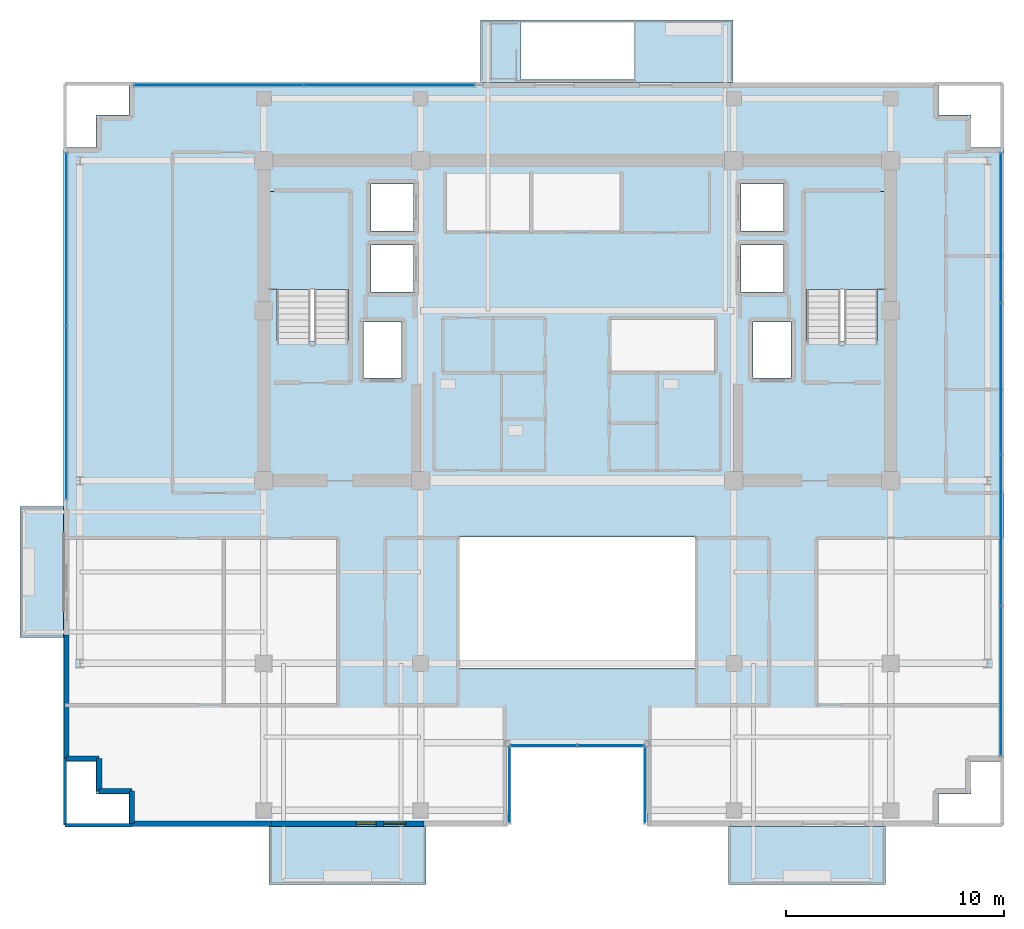
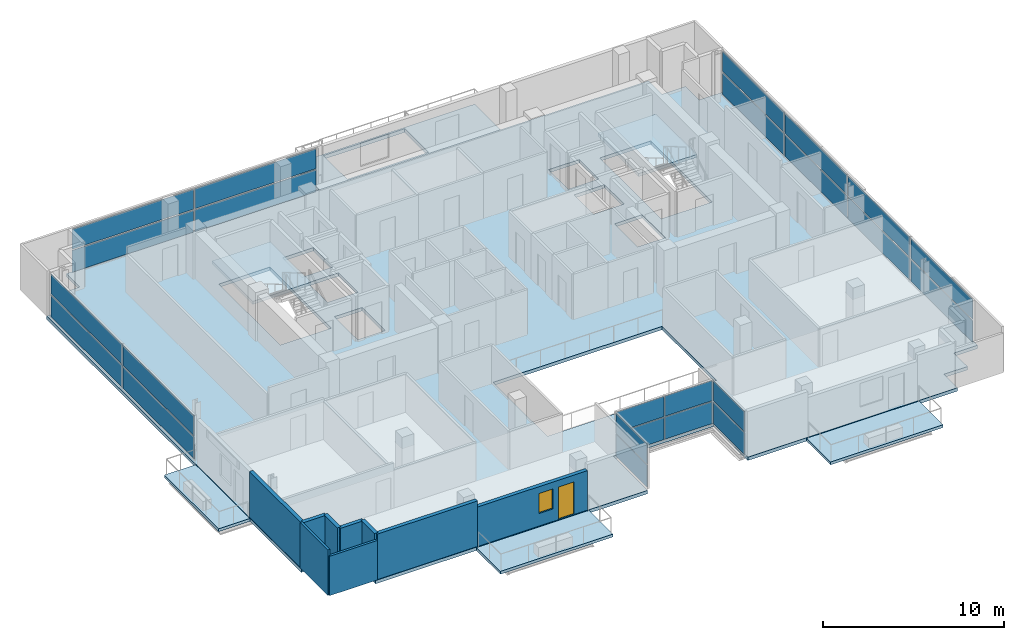
# One storey, part 15 of 24: 24 plates, 9 walls, 7 slabs, 1 door, 1 window, 2 openings, 8 elements without a shape of their own.
"""IFC4 building model written with IfcOpenShell, lengths in metres."""

from ifc_helpers import new_model, si_unit, direction, frame, frame_2d, origin, origin_2d, place, context, subcontext, project, spatial, polyline, rectangle, outline, extrude, source, transform, mapped, material, layer, layer_set, type_object, element, fill, aggregate, save


model = new_model("IFC4")

# Units and contexts
model_context = context("Model", 3, precision=1e-05, world=origin(), true_north=direction((0.0, 1.0)))
body_context = subcontext(model_context, "Body", "Model", "MODEL_VIEW")
ifc_project = project(units=[si_unit("LENGTHUNIT", "METRE"), si_unit("AREAUNIT", "SQUARE_METRE"), si_unit("VOLUMEUNIT", "CUBIC_METRE"), si_unit("PLANEANGLEUNIT", "RADIAN"), si_unit("MASSUNIT", "GRAM", prefix="KILO")], contexts=[model_context])

# Site, building, storey
site_placement = place(None, origin())
site = spatial("IfcSite", under=ifc_project, at=site_placement, CompositionType="ELEMENT")
building_placement = place(site_placement, origin())
building = spatial("IfcBuilding", under=site, at=building_placement, Name="Zarnakvel Exchange Tower", CompositionType="ELEMENT")
storey_placement = place(building_placement, frame((0.0, 0.0, 208.89990234375)))
storey = spatial("IfcBuildingStorey", under=building, at=storey_placement, Name="L58", CompositionType="ELEMENT", Elevation=208.89990234375)

# Stair, slab
ifc_material_1 = material(Name="Concrete C40/50", Category="concrete")
stair_type = type_object("IfcStairType", Name="STR-01", PredefinedType="HALF_TURN_STAIR", material=ifc_material_1)
stair_1_placement = place(storey_placement, origin())
stair_1 = element("IfcStair", 1, at=stair_1_placement, inside=storey, type_object=stair_type, Name="L58 Protected Core Exit Stair ST-01", PredefinedType="HALF_TURN_STAIR")
ifc_layer_1 = layer(ifc_material_1, 0.199951171875)
ifc_layer_set_1 = layer_set([ifc_layer_1], Name="Concrete C40/50")
slab_type_1 = type_object("IfcSlabType", Name="LDG-01", PredefinedType="LANDING", material=ifc_layer_set_1)
slab_1_placement = place(storey_placement, frame((0.0, 0.0, 1.4501953125)))
slab_1 = element("IfcSlab", 2, at=slab_1_placement, type_object=slab_type_1, Name="ST-01 landing 1", PredefinedType="LANDING", context=body_context, shape_type="SweptSolid", body=[
    extrude(outline(polyline([(-14.18994140625, 7.570068359375), (-10.4599609375, 7.570068359375), (-10.4599609375, 12.080078125), (-14.18994140625, 12.080078125), (-14.18994140625, 7.570068359375)])), origin(), (0.0, 0.0, 1.0), 0.199951171875),
])
aggregate(stair_1, [slab_1])

stair_2_placement = place(storey_placement, origin())
stair_2 = element("IfcStair", 3, at=stair_2_placement, inside=storey, type_object=stair_type, Name="L58 Protected Core Exit Stair ST-02", PredefinedType="HALF_TURN_STAIR")
slab_2_placement = place(storey_placement, frame((0.0, 0.0, 1.4501953125)))
slab_2 = element("IfcSlab", 4, at=slab_2_placement, type_object=slab_type_1, Name="ST-02 landing 1", PredefinedType="LANDING", context=body_context, shape_type="SweptSolid", body=[
    extrude(outline(polyline([(10.4599609375, 7.570068359375), (14.18994140625, 7.570068359375), (14.18994140625, 12.080078125), (10.4599609375, 12.080078125), (10.4599609375, 7.570068359375)])), origin(), (0.0, 0.0, 1.0), 0.199951171875),
])
aggregate(stair_2, [slab_2])

# Slabs
ifc_layer_2 = layer(ifc_material_1, 0.22509765625)
ifc_layer_set_2 = layer_set([ifc_layer_2], Name="Concrete C40/50")
slab_type_2 = type_object("IfcSlabType", Name="SL-04", PredefinedType="FLOOR", material=ifc_layer_set_2)
slab_3_placement = place(storey_placement, frame((0.0, 0.0, -0.224853515625)))
element("IfcSlab", 5, at=slab_3_placement, inside=storey, type_object=slab_type_2, Name="L58 Primary Structural Floor Slab", PredefinedType="FLOOR", context=body_context, shape_type="SweptSolid", body=[
    extrude(outline(polyline([(-23.60009765625, -14.10009765625), (-22.10009765625, -14.10009765625), (-22.10009765625, -15.60009765625), (-20.60009765625, -15.60009765625), (-20.60009765625, -17.10009765625), (-3.199951171875, -17.10009765625), (-3.199951171875, -13.300048828125), (3.199951171875, -13.300048828125), (3.199951171875, -17.10009765625), (16.60009765625, -17.10009765625), (16.60009765625, -15.60009765625), (18.10009765625, -15.60009765625), (18.10009765625, -14.10009765625), (19.60009765625, -14.10009765625), (19.60009765625, 14.10009765625), (18.10009765625, 14.10009765625), (18.10009765625, 15.60009765625), (16.60009765625, 15.60009765625), (16.60009765625, 17.10009765625), (-20.60009765625, 17.10009765625), (-20.60009765625, 15.60009765625), (-22.10009765625, 15.60009765625), (-22.10009765625, 14.10009765625), (-23.60009765625, 14.10009765625), (-23.60009765625, -14.10009765625)]), holes=[polyline([(-5.39990234375, -9.800048828125), (5.39990234375, -9.800048828125), (5.39990234375, -3.800048828125), (-5.39990234375, -3.800048828125), (-5.39990234375, -9.800048828125)]), polyline([(-13.800048828125, 5.2099609375), (-10.5400390625, 5.2099609375), (-10.5400390625, 12.0), (-13.800048828125, 12.0), (-13.800048828125, 5.2099609375)]), polyline([(10.5400390625, 5.2099609375), (13.800048828125, 5.2099609375), (13.800048828125, 12.0), (10.5400390625, 12.0), (10.5400390625, 5.2099609375)]), polyline([(-9.830078125, 3.52001953125), (-8.070068359375, 3.52001953125), (-8.070068359375, 6.080078125), (-9.830078125, 6.080078125), (-9.830078125, 3.52001953125)]), polyline([(8.070068359375, 3.52001953125), (9.830078125, 3.52001953125), (9.830078125, 6.080078125), (8.070068359375, 6.080078125), (8.070068359375, 3.52001953125)]), polyline([(-9.47998046875, 7.469970703125), (-7.52001953125, 7.469970703125), (-7.52001953125, 9.6298828125), (-9.47998046875, 9.6298828125), (-9.47998046875, 7.469970703125)]), polyline([(-9.47998046875, 10.27001953125), (-7.52001953125, 10.27001953125), (-7.52001953125, 12.429931640625), (-9.47998046875, 12.429931640625), (-9.47998046875, 10.27001953125)]), polyline([(7.52001953125, 7.469970703125), (9.47998046875, 7.469970703125), (9.47998046875, 9.6298828125), (7.52001953125, 9.6298828125), (7.52001953125, 7.469970703125)]), polyline([(7.52001953125, 10.27001953125), (9.47998046875, 10.27001953125), (9.47998046875, 12.429931640625), (7.52001953125, 12.429931640625), (7.52001953125, 10.27001953125)])]), origin(), (0.0, 0.0, 1.0), 0.224853515625),
])
ifc_layer_3 = layer(ifc_material_1, 0.25)
ifc_layer_set_3 = layer_set([ifc_layer_3], Name="Concrete C40/50")
slab_type_3 = type_object("IfcSlabType", Name="SL-07", PredefinedType="ROOF", material=ifc_layer_set_3)
slab_4_placement = place(storey_placement, frame((0.0, 0.0, -0.25)))
element("IfcSlab", 6, at=slab_4_placement, inside=storey, type_object=slab_type_3, Name="L58 Spiral Sky-Terrace Outdoor Slab (NE)", PredefinedType="ROOF", context=body_context, shape_type="SweptSolid", body=[
    extrude(outline(polyline([(-4.449951171875, 17.10009765625), (7.14990234375, 17.10009765625), (7.14990234375, 19.9599609375), (-4.449951171875, 19.9599609375), (-4.449951171875, 17.10009765625)]), holes=[polyline([(-2.590087890625, 17.219970703125), (2.60009765625, 17.219970703125), (2.60009765625, 19.840087890625), (-2.590087890625, 19.840087890625), (-2.590087890625, 17.219970703125)])]), origin(), (0.0, 0.0, 1.0), 0.25),
])
ifc_layer_4 = layer(ifc_material_1, 0.18994140625)
ifc_layer_set_4 = layer_set([ifc_layer_4], Name="Concrete C40/50")
slab_type_4 = type_object("IfcSlabType", Name="SL-08", PredefinedType="USERDEFINED", material=ifc_layer_set_4)
slab_5_placement = place(storey_placement, frame((0.0, 0.0, -0.224853515625)))
element("IfcSlab", 7, at=slab_5_placement, inside=storey, type_object=slab_type_4, Name="L58 Planted Loggia Balcony Slab BAL-L58-SW", ObjectType="BALCONY", PredefinedType="USERDEFINED", context=body_context, shape_type="SweptSolid", body=[
    extrude(outline(polyline([(-14.14990234375, -19.75), (-6.949951171875, -19.75), (-6.949951171875, -17.10009765625), (-14.14990234375, -17.10009765625), (-14.14990234375, -19.75)])), origin(), (0.0, 0.0, 1.0), 0.18994140625),
])
slab_6_placement = place(storey_placement, frame((0.0, 0.0, -0.224853515625)))
element("IfcSlab", 8, at=slab_6_placement, inside=storey, type_object=slab_type_4, Name="L58 Planted Loggia Balcony Slab BAL-L58-SE", ObjectType="BALCONY", PredefinedType="USERDEFINED", context=body_context, shape_type="SweptSolid", body=[
    extrude(outline(polyline([(6.949951171875, -19.75), (14.14990234375, -19.75), (14.14990234375, -17.10009765625), (6.949951171875, -17.10009765625), (6.949951171875, -19.75)])), origin(), (0.0, 0.0, 1.0), 0.18994140625),
])
slab_7_placement = place(storey_placement, frame((0.0, 0.0, -0.224853515625)))
element("IfcSlab", 9, at=slab_7_placement, inside=storey, type_object=slab_type_4, Name="L58 Planted Loggia Balcony Slab BAL-L58-W", ObjectType="BALCONY", PredefinedType="USERDEFINED", context=body_context, shape_type="SweptSolid", body=[
    extrude(outline(polyline([(-25.60009765625, -8.39990234375), (-23.60009765625, -8.39990234375), (-23.60009765625, -2.39990234375), (-25.60009765625, -2.39990234375), (-25.60009765625, -8.39990234375)])), origin(), (0.0, 0.0, 1.0), 0.18994140625),
])

# Curtain wall, plate
ifc_material_2 = material(Name="Architectural Bronze Anodised Aluminium", Category="aluminium")
ifc_layer_5 = layer(ifc_material_2, 0.179931640625)
ifc_layer_set_5 = layer_set([ifc_layer_5], Name="Architectural Bronze Anodised Aluminium")
curtain_wall_type_1 = type_object("IfcCurtainWallType", Name="CW-05", PredefinedType="NOTDEFINED", material=ifc_layer_set_5)
curtain_wall_1_placement = place(storey_placement, origin())
curtain_wall_1 = element("IfcCurtainWall", 10, at=curtain_wall_1_placement, inside=storey, type_object=curtain_wall_type_1, Name="L58 Curtain Wall CW-L58-SLW (CW-05)", PredefinedType="NOTDEFINED")
ifc_material_3 = material(Name="Double Low-E Laminated Vision Glass", Category="glass")
ifc_layer_6 = layer(ifc_material_3, 0.02587890625)
ifc_layer_set_6 = layer_set([ifc_layer_6], Name="Double Low-E Laminated Vision Glass")
plate_type_1 = type_object("IfcPlateType", Name="CWP-05", PredefinedType="CURTAIN_PANEL", material=ifc_layer_set_6)
shared_shape_1 = source(origin(), body_context, "Body", "SweptSolid", [
    extrude(rectangle(XDim=3.4599609375, YDim=0.02587890625, at=origin_2d()), origin(), (0.0, 0.0, 1.0), 1.483642578125),
])
plate_1_placement = place(storey_placement, frame((-3.1201171875, -15.179931640625, 0.0703125), z_axis=(0.0, 0.0, 1.0), x_axis=(0.0, 1.0, 0.0)))
plate_1 = element("IfcPlate", 11, at=plate_1_placement, type_object=plate_type_1, Name="CW-05 panel 1.1", PredefinedType="CURTAIN_PANEL", context=body_context, shape_type="MappedRepresentation", body=[
    mapped(shared_shape_1, transform((0.0, 0.0, 0.0), x_axis=(1.0, 0.0, 0.0), y_axis=(0.0, 1.0, 0.0), z_axis=(0.0, 0.0, 1.0), scale=1.0)),
])

curtain_wall_2_placement = place(storey_placement, origin())
curtain_wall_2 = element("IfcCurtainWall", 12, at=curtain_wall_2_placement, inside=storey, type_object=curtain_wall_type_1, Name="L58 Curtain Wall CW-L58-SLE (CW-05)", PredefinedType="NOTDEFINED")
plate_2_placement = place(storey_placement, frame((3.1201171875, -15.179931640625, 0.0703125), z_axis=(0.0, 0.0, 1.0), x_axis=(0.0, -1.0, 0.0)))
plate_2 = element("IfcPlate", 13, at=plate_2_placement, type_object=plate_type_1, Name="CW-05 panel 1.1", PredefinedType="CURTAIN_PANEL", context=body_context, shape_type="MappedRepresentation", body=[
    mapped(shared_shape_1, transform((0.0, 0.0, 0.0), x_axis=(1.0, 0.0, 0.0), y_axis=(0.0, 1.0, 0.0), z_axis=(0.0, 0.0, 1.0), scale=1.0)),
])

# Plate
shared_shape_2 = source(origin(), body_context, "Body", "SweptSolid", [
    extrude(rectangle(XDim=3.4599609375, YDim=0.02587890625, at=origin_2d()), origin(), (0.0, 0.0, 1.0), 1.361328125),
])
plate_3_placement = place(storey_placement, frame((-3.1201171875, -15.179931640625, 1.623779296875), z_axis=(0.0, 0.0, 1.0), x_axis=(0.0, 1.0, 0.0)))
plate_3 = element("IfcPlate", 14, at=plate_3_placement, type_object=plate_type_1, Name="CW-05 panel 1.2", PredefinedType="CURTAIN_PANEL", context=body_context, shape_type="MappedRepresentation", body=[
    mapped(shared_shape_2, transform((0.0, 0.0, 0.0), x_axis=(1.0, 0.0, 0.0), y_axis=(0.0, 1.0, 0.0), z_axis=(0.0, 0.0, 1.0), scale=1.0)),
])

aggregate(curtain_wall_1, [plate_1, plate_3])

plate_4_placement = place(storey_placement, frame((3.1201171875, -15.179931640625, 1.623779296875), z_axis=(0.0, 0.0, 1.0), x_axis=(0.0, -1.0, 0.0)))
plate_4 = element("IfcPlate", 15, at=plate_4_placement, type_object=plate_type_1, Name="CW-05 panel 1.2", PredefinedType="CURTAIN_PANEL", context=body_context, shape_type="MappedRepresentation", body=[
    mapped(shared_shape_2, transform((0.0, 0.0, 0.0), x_axis=(1.0, 0.0, 0.0), y_axis=(0.0, 1.0, 0.0), z_axis=(0.0, 0.0, 1.0), scale=1.0)),
])

aggregate(curtain_wall_2, [plate_2, plate_4])

# Curtain wall, plates
curtain_wall_3_placement = place(storey_placement, origin())
curtain_wall_3 = element("IfcCurtainWall", 16, at=curtain_wall_3_placement, inside=storey, type_object=curtain_wall_type_1, Name="L58 Curtain Wall CW-L58-SLB (CW-05)", PredefinedType="NOTDEFINED")
shared_shape_3 = source(origin(), body_context, "Body", "SweptSolid", [
    extrude(rectangle(XDim=3.014892578125, YDim=0.02587890625, at=origin_2d()), origin(), (0.0, 0.0, 1.0), 1.483642578125),
])
plate_5_placement = place(storey_placement, frame((-1.54248046875, -13.3798828125, 0.0703125), z_axis=(0.0, 0.0, 1.0), x_axis=(1.0, 0.0, 0.0)))
plate_5 = element("IfcPlate", 17, at=plate_5_placement, type_object=plate_type_1, Name="CW-05 panel 1.1", PredefinedType="CURTAIN_PANEL", context=body_context, shape_type="MappedRepresentation", body=[
    mapped(shared_shape_3, transform((0.0, 0.0, 0.0), x_axis=(1.0, 0.0, 0.0), y_axis=(0.0, 1.0, 0.0), z_axis=(0.0, 0.0, 1.0), scale=1.0)),
])
plate_6_placement = place(storey_placement, frame((1.54248046875, -13.3798828125, 0.0703125), z_axis=(0.0, 0.0, 1.0), x_axis=(1.0, 0.0, 0.0)))
plate_6 = element("IfcPlate", 18, at=plate_6_placement, type_object=plate_type_1, Name="CW-05 panel 2.1", PredefinedType="CURTAIN_PANEL", context=body_context, shape_type="MappedRepresentation", body=[
    mapped(shared_shape_3, transform((0.0, 0.0, 0.0), x_axis=(1.0, 0.0, 0.0), y_axis=(0.0, 1.0, 0.0), z_axis=(0.0, 0.0, 1.0), scale=1.0)),
])
shared_shape_4 = source(origin(), body_context, "Body", "SweptSolid", [
    extrude(rectangle(XDim=3.014892578125, YDim=0.02587890625, at=origin_2d()), origin(), (0.0, 0.0, 1.0), 1.361328125),
])
plate_7_placement = place(storey_placement, frame((-1.54248046875, -13.3798828125, 1.623779296875), z_axis=(0.0, 0.0, 1.0), x_axis=(1.0, 0.0, 0.0)))
plate_7 = element("IfcPlate", 19, at=plate_7_placement, type_object=plate_type_1, Name="CW-05 panel 1.2", PredefinedType="CURTAIN_PANEL", context=body_context, shape_type="MappedRepresentation", body=[
    mapped(shared_shape_4, transform((0.0, 0.0, 0.0), x_axis=(1.0, 0.0, 0.0), y_axis=(0.0, 1.0, 0.0), z_axis=(0.0, 0.0, 1.0), scale=1.0)),
])
plate_8_placement = place(storey_placement, frame((1.54248046875, -13.3798828125, 1.623779296875), z_axis=(0.0, 0.0, 1.0), x_axis=(1.0, 0.0, 0.0)))
plate_8 = element("IfcPlate", 20, at=plate_8_placement, type_object=plate_type_1, Name="CW-05 panel 2.2", PredefinedType="CURTAIN_PANEL", context=body_context, shape_type="MappedRepresentation", body=[
    mapped(shared_shape_4, transform((0.0, 0.0, 0.0), x_axis=(1.0, 0.0, 0.0), y_axis=(0.0, 1.0, 0.0), z_axis=(0.0, 0.0, 1.0), scale=1.0)),
])
aggregate(curtain_wall_3, [plate_5, plate_7, plate_6, plate_8])

ifc_layer_7 = layer(ifc_material_2, 0.219970703125)
ifc_layer_set_7 = layer_set([ifc_layer_7], Name="Architectural Bronze Anodised Aluminium")
curtain_wall_type_2 = type_object("IfcCurtainWallType", Name="CW-03", PredefinedType="NOTDEFINED", material=ifc_layer_set_7)
curtain_wall_4_placement = place(storey_placement, origin())
curtain_wall_4 = element("IfcCurtainWall", 21, at=curtain_wall_4_placement, inside=storey, type_object=curtain_wall_type_2, Name="L58 Curtain Wall CW-L58-N1 (CW-03)", PredefinedType="NOTDEFINED")
ifc_layer_8 = layer(ifc_material_3, 0.030029296875)
ifc_layer_set_8 = layer_set([ifc_layer_8], Name="Double Low-E Laminated Vision Glass")
plate_type_2 = type_object("IfcPlateType", Name="CWP-03", PredefinedType="CURTAIN_PANEL", material=ifc_layer_set_8)
shared_shape_5 = source(origin(), body_context, "Body", "SweptSolid", [
    extrude(rectangle(XDim=7.7548828125, YDim=0.030029296875, at=origin_2d()), origin(), (0.0, 0.0, 1.0), 1.468505859375),
])
plate_9_placement = place(storey_placement, frame((-16.4423828125, 16.9599609375, 0.080078125), z_axis=(0.0, 0.0, 1.0), x_axis=(1.0, 0.0, 0.0)))
plate_9 = element("IfcPlate", 22, at=plate_9_placement, type_object=plate_type_2, Name="CW-03 panel 1.1", PredefinedType="CURTAIN_PANEL", context=body_context, shape_type="MappedRepresentation", body=[
    mapped(shared_shape_5, transform((0.0, 0.0, 0.0), x_axis=(1.0, 0.0, 0.0), y_axis=(0.0, 1.0, 0.0), z_axis=(0.0, 0.0, 1.0), scale=1.0)),
])
plate_10_placement = place(storey_placement, frame((-8.607421875, 16.9599609375, 0.080078125), z_axis=(0.0, 0.0, 1.0), x_axis=(1.0, 0.0, 0.0)))
plate_10 = element("IfcPlate", 23, at=plate_10_placement, type_object=plate_type_2, Name="CW-03 panel 2.1", PredefinedType="CURTAIN_PANEL", context=body_context, shape_type="MappedRepresentation", body=[
    mapped(shared_shape_5, transform((0.0, 0.0, 0.0), x_axis=(1.0, 0.0, 0.0), y_axis=(0.0, 1.0, 0.0), z_axis=(0.0, 0.0, 1.0), scale=1.0)),
])
shared_shape_6 = source(origin(), body_context, "Body", "SweptSolid", [
    extrude(rectangle(XDim=7.7548828125, YDim=0.030029296875, at=origin_2d()), origin(), (0.0, 0.0, 1.0), 1.346435546875),
])
plate_11_placement = place(storey_placement, frame((-16.4423828125, 16.9599609375, 1.62890625), z_axis=(0.0, 0.0, 1.0), x_axis=(1.0, 0.0, 0.0)))
plate_11 = element("IfcPlate", 24, at=plate_11_placement, type_object=plate_type_2, Name="CW-03 panel 1.2", PredefinedType="CURTAIN_PANEL", context=body_context, shape_type="MappedRepresentation", body=[
    mapped(shared_shape_6, transform((0.0, 0.0, 0.0), x_axis=(1.0, 0.0, 0.0), y_axis=(0.0, 1.0, 0.0), z_axis=(0.0, 0.0, 1.0), scale=1.0)),
])
plate_12_placement = place(storey_placement, frame((-8.607421875, 16.9599609375, 1.62890625), z_axis=(0.0, 0.0, 1.0), x_axis=(1.0, 0.0, 0.0)))
plate_12 = element("IfcPlate", 25, at=plate_12_placement, type_object=plate_type_2, Name="CW-03 panel 2.2", PredefinedType="CURTAIN_PANEL", context=body_context, shape_type="MappedRepresentation", body=[
    mapped(shared_shape_6, transform((0.0, 0.0, 0.0), x_axis=(1.0, 0.0, 0.0), y_axis=(0.0, 1.0, 0.0), z_axis=(0.0, 0.0, 1.0), scale=1.0)),
])
aggregate(curtain_wall_4, [plate_9, plate_11, plate_10, plate_12])

ifc_layer_9 = layer(ifc_material_2, 0.199951171875)
ifc_layer_set_9 = layer_set([ifc_layer_9], Name="Architectural Bronze Anodised Aluminium")
curtain_wall_type_3 = type_object("IfcCurtainWallType", Name="CW-04", PredefinedType="NOTDEFINED", material=ifc_layer_set_9)
curtain_wall_5_placement = place(storey_placement, origin())
curtain_wall_5 = element("IfcCurtainWall", 26, at=curtain_wall_5_placement, inside=storey, type_object=curtain_wall_type_3, Name="L58 Curtain Wall CW-L58-E1 (CW-04)", PredefinedType="NOTDEFINED")
ifc_layer_10 = layer(ifc_material_3, 0.028076171875)
ifc_layer_set_10 = layer_set([ifc_layer_10], Name="Double Low-E Laminated Vision Glass")
plate_type_3 = type_object("IfcPlateType", Name="CWP-04", PredefinedType="CURTAIN_PANEL", material=ifc_layer_set_10)
shared_shape_7 = source(origin(), body_context, "Body", "SweptSolid", [
    extrude(rectangle(XDim=6.83740234375, YDim=0.028076171875, at=origin_2d()), origin(), (0.0, 0.0, 1.0), 1.47607421875),
])
plate_13_placement = place(storey_placement, frame((19.4599609375, -10.40625, 0.0751953125), z_axis=(0.0, 0.0, 1.0), x_axis=(0.0, 1.0, 0.0)))
plate_13 = element("IfcPlate", 27, at=plate_13_placement, type_object=plate_type_3, Name="CW-04 panel 1.1", PredefinedType="CURTAIN_PANEL", context=body_context, shape_type="MappedRepresentation", body=[
    mapped(shared_shape_7, transform((0.0, 0.0, 0.0), x_axis=(1.0, 0.0, 0.0), y_axis=(0.0, 1.0, 0.0), z_axis=(0.0, 0.0, 1.0), scale=1.0)),
])
plate_14_placement = place(storey_placement, frame((19.4599609375, 10.40625, 0.0751953125), z_axis=(0.0, 0.0, 1.0), x_axis=(0.0, 1.0, 0.0)))
plate_14 = element("IfcPlate", 28, at=plate_14_placement, type_object=plate_type_3, Name="CW-04 panel 4.1", PredefinedType="CURTAIN_PANEL", context=body_context, shape_type="MappedRepresentation", body=[
    mapped(shared_shape_7, transform((0.0, 0.0, 0.0), x_axis=(1.0, 0.0, 0.0), y_axis=(0.0, 1.0, 0.0), z_axis=(0.0, 0.0, 1.0), scale=1.0)),
])
shared_shape_8 = source(origin(), body_context, "Body", "SweptSolid", [
    extrude(rectangle(XDim=6.83740234375, YDim=0.028076171875, at=origin_2d()), origin(), (0.0, 0.0, 1.0), 1.35400390625),
])
plate_15_placement = place(storey_placement, frame((19.4599609375, -10.40625, 1.626220703125), z_axis=(0.0, 0.0, 1.0), x_axis=(0.0, 1.0, 0.0)))
plate_15 = element("IfcPlate", 29, at=plate_15_placement, type_object=plate_type_3, Name="CW-04 panel 1.2", PredefinedType="CURTAIN_PANEL", context=body_context, shape_type="MappedRepresentation", body=[
    mapped(shared_shape_8, transform((0.0, 0.0, 0.0), x_axis=(1.0, 0.0, 0.0), y_axis=(0.0, 1.0, 0.0), z_axis=(0.0, 0.0, 1.0), scale=1.0)),
])
plate_16_placement = place(storey_placement, frame((19.4599609375, 10.40625, 1.626220703125), z_axis=(0.0, 0.0, 1.0), x_axis=(0.0, 1.0, 0.0)))
plate_16 = element("IfcPlate", 30, at=plate_16_placement, type_object=plate_type_3, Name="CW-04 panel 4.2", PredefinedType="CURTAIN_PANEL", context=body_context, shape_type="MappedRepresentation", body=[
    mapped(shared_shape_8, transform((0.0, 0.0, 0.0), x_axis=(1.0, 0.0, 0.0), y_axis=(0.0, 1.0, 0.0), z_axis=(0.0, 0.0, 1.0), scale=1.0)),
])
shared_shape_9 = source(origin(), body_context, "Body", "SweptSolid", [
    extrude(rectangle(XDim=6.875, YDim=0.028076171875, at=origin_2d()), origin(), (0.0, 0.0, 1.0), 1.47607421875),
])
plate_17_placement = place(storey_placement, frame((19.4599609375, -3.47509765625, 0.0751953125), z_axis=(0.0, 0.0, 1.0), x_axis=(0.0, 1.0, 0.0)))
plate_17 = element("IfcPlate", 31, at=plate_17_placement, type_object=plate_type_3, Name="CW-04 panel 2.1", PredefinedType="CURTAIN_PANEL", context=body_context, shape_type="MappedRepresentation", body=[
    mapped(shared_shape_9, transform((0.0, 0.0, 0.0), x_axis=(1.0, 0.0, 0.0), y_axis=(0.0, 1.0, 0.0), z_axis=(0.0, 0.0, 1.0), scale=1.0)),
])
plate_18_placement = place(storey_placement, frame((19.4599609375, 3.47509765625, 0.0751953125), z_axis=(0.0, 0.0, 1.0), x_axis=(0.0, 1.0, 0.0)))
plate_18 = element("IfcPlate", 32, at=plate_18_placement, type_object=plate_type_3, Name="CW-04 panel 3.1", PredefinedType="CURTAIN_PANEL", context=body_context, shape_type="MappedRepresentation", body=[
    mapped(shared_shape_9, transform((0.0, 0.0, 0.0), x_axis=(1.0, 0.0, 0.0), y_axis=(0.0, 1.0, 0.0), z_axis=(0.0, 0.0, 1.0), scale=1.0)),
])
shared_shape_10 = source(origin(), body_context, "Body", "SweptSolid", [
    extrude(rectangle(XDim=6.875, YDim=0.028076171875, at=origin_2d()), origin(), (0.0, 0.0, 1.0), 1.35400390625),
])
plate_19_placement = place(storey_placement, frame((19.4599609375, -3.47509765625, 1.626220703125), z_axis=(0.0, 0.0, 1.0), x_axis=(0.0, 1.0, 0.0)))
plate_19 = element("IfcPlate", 33, at=plate_19_placement, type_object=plate_type_3, Name="CW-04 panel 2.2", PredefinedType="CURTAIN_PANEL", context=body_context, shape_type="MappedRepresentation", body=[
    mapped(shared_shape_10, transform((0.0, 0.0, 0.0), x_axis=(1.0, 0.0, 0.0), y_axis=(0.0, 1.0, 0.0), z_axis=(0.0, 0.0, 1.0), scale=1.0)),
])
plate_20_placement = place(storey_placement, frame((19.4599609375, 3.47509765625, 1.626220703125), z_axis=(0.0, 0.0, 1.0), x_axis=(0.0, 1.0, 0.0)))
plate_20 = element("IfcPlate", 34, at=plate_20_placement, type_object=plate_type_3, Name="CW-04 panel 3.2", PredefinedType="CURTAIN_PANEL", context=body_context, shape_type="MappedRepresentation", body=[
    mapped(shared_shape_10, transform((0.0, 0.0, 0.0), x_axis=(1.0, 0.0, 0.0), y_axis=(0.0, 1.0, 0.0), z_axis=(0.0, 0.0, 1.0), scale=1.0)),
])
aggregate(curtain_wall_5, [plate_13, plate_15, plate_17, plate_19, plate_18, plate_20, plate_14, plate_16])

curtain_wall_6_placement = place(storey_placement, origin())
curtain_wall_6 = element("IfcCurtainWall", 35, at=curtain_wall_6_placement, inside=storey, type_object=curtain_wall_type_3, Name="L58 Curtain Wall CW-L58-WN (CW-04)", PredefinedType="NOTDEFINED")
shared_shape_11 = source(origin(), body_context, "Body", "SweptSolid", [
    extrude(rectangle(XDim=7.887451171875, YDim=0.028076171875, at=origin_2d()), origin(), (0.0, 0.0, 1.0), 1.47607421875),
])
plate_21_placement = place(storey_placement, frame((-23.4599609375, 1.918701171875, 0.0751953125), z_axis=(0.0, 0.0, 1.0), x_axis=(0.0, 1.0, 0.0)))
plate_21 = element("IfcPlate", 36, at=plate_21_placement, type_object=plate_type_3, Name="CW-04 panel 1.1", PredefinedType="CURTAIN_PANEL", context=body_context, shape_type="MappedRepresentation", body=[
    mapped(shared_shape_11, transform((0.0, 0.0, 0.0), x_axis=(1.0, 0.0, 0.0), y_axis=(0.0, 1.0, 0.0), z_axis=(0.0, 0.0, 1.0), scale=1.0)),
])
plate_22_placement = place(storey_placement, frame((-23.4599609375, 9.88134765625, 0.0751953125), z_axis=(0.0, 0.0, 1.0), x_axis=(0.0, 1.0, 0.0)))
plate_22 = element("IfcPlate", 37, at=plate_22_placement, type_object=plate_type_3, Name="CW-04 panel 2.1", PredefinedType="CURTAIN_PANEL", context=body_context, shape_type="MappedRepresentation", body=[
    mapped(shared_shape_11, transform((0.0, 0.0, 0.0), x_axis=(1.0, 0.0, 0.0), y_axis=(0.0, 1.0, 0.0), z_axis=(0.0, 0.0, 1.0), scale=1.0)),
])
shared_shape_12 = source(origin(), body_context, "Body", "SweptSolid", [
    extrude(rectangle(XDim=7.887451171875, YDim=0.028076171875, at=origin_2d()), origin(), (0.0, 0.0, 1.0), 1.35400390625),
])
plate_23_placement = place(storey_placement, frame((-23.4599609375, 1.918701171875, 1.626220703125), z_axis=(0.0, 0.0, 1.0), x_axis=(0.0, 1.0, 0.0)))
plate_23 = element("IfcPlate", 38, at=plate_23_placement, type_object=plate_type_3, Name="CW-04 panel 1.2", PredefinedType="CURTAIN_PANEL", context=body_context, shape_type="MappedRepresentation", body=[
    mapped(shared_shape_12, transform((0.0, 0.0, 0.0), x_axis=(1.0, 0.0, 0.0), y_axis=(0.0, 1.0, 0.0), z_axis=(0.0, 0.0, 1.0), scale=1.0)),
])
plate_24_placement = place(storey_placement, frame((-23.4599609375, 9.88134765625, 1.626220703125), z_axis=(0.0, 0.0, 1.0), x_axis=(0.0, 1.0, 0.0)))
plate_24 = element("IfcPlate", 39, at=plate_24_placement, type_object=plate_type_3, Name="CW-04 panel 2.2", PredefinedType="CURTAIN_PANEL", context=body_context, shape_type="MappedRepresentation", body=[
    mapped(shared_shape_12, transform((0.0, 0.0, 0.0), x_axis=(1.0, 0.0, 0.0), y_axis=(0.0, 1.0, 0.0), z_axis=(0.0, 0.0, 1.0), scale=1.0)),
])
aggregate(curtain_wall_6, [plate_21, plate_23, plate_22, plate_24])

# Wall, openings, door, window
ifc_material_4 = material(Name="Precast concrete C40/50", Category="concrete")
ifc_layer_11 = layer(ifc_material_4, 0.239990234375)
ifc_layer_set_11 = layer_set([ifc_layer_11], Name="Precast concrete C40/50")
wall_type_1 = type_object("IfcWallType", Name="EW-02", PredefinedType="SOLIDWALL", material=ifc_layer_set_11)
wall_1_placement = place(storey_placement, frame((-7.050048828125, -16.9599609375, 0.0), z_axis=(0.0, 0.0, 1.0), x_axis=(-1.0, 0.0, 0.0)))
wall_1 = element("IfcWall", 40, at=wall_1_placement, inside=storey, type_object=wall_type_1, Name="L58 Exterior Precast Spandrel Wall EW-BAL-L58-SW (EW-02)", PredefinedType="SOLIDWALL", context=body_context, shape_type="SweptSolid", body=[
    extrude(rectangle(XDim=7.0, YDim=0.239990234375, at=frame_2d((3.5, 0.0))), origin(), (0.0, 0.0, 1.0), 2.6650390625),
])
opening_1_placement = place(wall_1_placement, frame((0.840087890625, 0.0, 0.0)))
opening_1 = element("IfcOpeningElement", 41, at=opening_1_placement, cuts=wall_1, Name="Opening BD-L58-01", PredefinedType="OPENING", context=body_context, shape_type="SweptSolid", body=[
    extrude(rectangle(XDim=1.0, YDim=2.199951171875, at=frame_2d((0.5, 1.10009765625))), frame((0.0, 0.1298828125, 0.0), z_axis=(0.0, -1.0, 0.0), x_axis=(1.0, 0.0, 0.0)), (0.0, 0.0, 1.0), 0.260009765625),
])
opening_2_placement = place(wall_1_placement, frame((2.18994140625, 0.0, 0.85009765625)))
opening_2 = element("IfcOpeningElement", 42, at=opening_2_placement, cuts=wall_1, Name="Opening WN-06", PredefinedType="OPENING", context=body_context, shape_type="SweptSolid", body=[
    extrude(rectangle(XDim=0.89990234375, YDim=1.35009765625, at=frame_2d((0.449951171875, 0.675048828125))), frame((0.0, 0.1298828125, 0.0), z_axis=(0.0, -1.0, 0.0), x_axis=(1.0, 0.0, 0.0)), (0.0, 0.0, 1.0), 0.260009765625),
])
door_type = type_object("IfcDoorType", Name="DT-09", OperationType="NOTDEFINED", PredefinedType="DOOR", material=ifc_material_2)
shared_shape_13 = source(origin(), body_context, "Body", "SweptSolid", [
    extrude(rectangle(XDim=1.0, YDim=2.199951171875, at=frame_2d((0.5, 1.10009765625))), frame((0.0, 0.02490234375, 0.0), z_axis=(0.0, -1.0, 0.0), x_axis=(1.0, 0.0, 0.0)), (0.0, 0.0, 1.0), 0.050048828125),
])
door_placement = place(opening_1_placement, origin())
door = element("IfcDoor", 43, at=door_placement, inside=storey, type_object=door_type, Name="L58 Planted Loggia Balcony Door BD-L58-01", OperationType="SINGLE_SWING_RIGHT", OverallHeight=2.199951171875, OverallWidth=1.0, PredefinedType="DOOR", context=body_context, shape_type="MappedRepresentation", body=[
    mapped(shared_shape_13, transform((0.0, 0.0, 0.0), x_axis=(1.0, 0.0, 0.0), y_axis=(0.0, 1.0, 0.0), z_axis=(0.0, 0.0, 1.0), scale=1.0)),
])
fill(opening_1, door)
window_type = type_object("IfcWindowType", Name="WN-06", PartitioningType="SINGLE_PANEL", PredefinedType="WINDOW", material=ifc_material_3)
shared_shape_14 = source(origin(), body_context, "Body", "SweptSolid", [
    extrude(rectangle(XDim=0.89990234375, YDim=1.35009765625, at=frame_2d((0.449951171875, 0.675048828125))), frame((0.0, 0.030029296875, 0.0), z_axis=(0.0, -1.0, 0.0), x_axis=(1.0, 0.0, 0.0)), (0.0, 0.0, 1.0), 0.06005859375),
])
window_placement = place(opening_2_placement, origin())
window = element("IfcWindow", 44, at=window_placement, inside=storey, type_object=window_type, Name="L58 Loggia Daylight Window (WN-06)", OverallHeight=1.35009765625, OverallWidth=0.89990234375, PartitioningType="SINGLE_PANEL", PredefinedType="WINDOW", context=body_context, shape_type="MappedRepresentation", body=[
    mapped(shared_shape_14, transform((0.0, 0.0, 0.0), x_axis=(1.0, 0.0, 0.0), y_axis=(0.0, 1.0, 0.0), z_axis=(0.0, 0.0, 1.0), scale=1.0)),
])
fill(opening_2, window)

# Walls
wall_2_placement = place(storey_placement, frame((-23.4599609375, -8.300048828125, 0.0), z_axis=(0.0, 0.0, 1.0), x_axis=(0.0, -1.0, 0.0)))
element("IfcWall", 45, at=wall_2_placement, inside=storey, type_object=wall_type_1, Name="L58 Exterior Precast Spandrel Wall EWC-L58-01 (EW-02)", PredefinedType="SOLIDWALL", context=body_context, shape_type="SweptSolid", body=[
    extrude(rectangle(XDim=5.659912109375, YDim=0.239990234375, at=frame_2d((2.830078125, 0.0))), origin(), (0.0, 0.0, 1.0), 3.0751953125),
])
wall_3_placement = place(storey_placement, frame((-20.4599609375, -16.9599609375, 0.0), z_axis=(0.0, 0.0, 1.0), x_axis=(1.0, 0.0, 0.0)))
element("IfcWall", 46, at=wall_3_placement, inside=storey, type_object=wall_type_1, Name="L58 Exterior Precast Spandrel Wall EWC-L58-24 (EW-02)", PredefinedType="SOLIDWALL", context=body_context, shape_type="SweptSolid", body=[
    extrude(rectangle(XDim=6.409912109375, YDim=0.239990234375, at=frame_2d((3.205078125, 0.0))), origin(), (0.0, 0.0, 1.0), 3.0751953125),
])
for number, where, z_axis, x_axis, name in (
    (47, (-20.4599609375, -15.4599609375, 0.0), (0.0, 0.0, 1.0), (0.0, -1.0, 0.0), "L58 Exterior Precast Spandrel Wall EWC-L58-25 (EW-02)"),
    (48, (-21.9599609375, -15.4599609375, 0.0), (0.0, 0.0, 1.0), (1.0, 0.0, 0.0), "L58 Exterior Precast Spandrel Wall EWC-L58-26 (EW-02)"),
    (49, (-21.9599609375, -13.9599609375, 0.0), (0.0, 0.0, 1.0), (0.0, -1.0, 0.0), "L58 Exterior Precast Spandrel Wall EWC-L58-27 (EW-02)"),
    (50, (-23.4599609375, -13.9599609375, 0.0), (0.0, 0.0, 1.0), (1.0, 0.0, 0.0), "L58 Exterior Precast Spandrel Wall EWC-L58-28 (EW-02)"),
):
    element("IfcWall", number, at=place(storey_placement, frame(where, z_axis=z_axis, x_axis=x_axis)), inside=storey, type_object=wall_type_1, Name=name, PredefinedType="SOLIDWALL", context=body_context, shape_type="SweptSolid", body=[
        extrude(rectangle(XDim=1.5, YDim=0.239990234375, at=frame_2d((0.75, 0.0))), origin(), (0.0, 0.0, 1.0), 3.0751953125),
    ])
ifc_material_5 = material(Name="Fire-Rated Gypsum Stud Partition", Category="gypsum")
ifc_layer_12 = layer(ifc_material_5, 0.14990234375)
ifc_layer_set_12 = layer_set([ifc_layer_12], Name="Fire-Rated Gypsum Stud Partition")
wall_type_2 = type_object("IfcWallType", Name="PT-01", PredefinedType="PARTITIONING", material=ifc_layer_set_12)
wall_4_placement = place(storey_placement, frame((-20.4599609375, -17.030029296875, 0.0), z_axis=(0.0, 0.0, 1.0), x_axis=(-1.0, 0.0, 0.0)))
element("IfcWall", 51, at=wall_4_placement, inside=storey, type_object=wall_type_2, Name="L58 Partition Wall PWALL-L58-051 (PT-01)", PredefinedType="PARTITIONING", context=body_context, shape_type="SweptSolid", body=[
    extrude(rectangle(XDim=3.070068359375, YDim=0.14990234375, at=frame_2d((1.53515625, 0.0))), origin(), (0.0, 0.0, 1.0), 2.6650390625),
])
wall_5_placement = place(storey_placement, frame((-23.530029296875, -17.030029296875, 0.0), z_axis=(0.0, 0.0, 1.0), x_axis=(0.0, 1.0, 0.0)))
element("IfcWall", 52, at=wall_5_placement, inside=storey, type_object=wall_type_2, Name="L58 Partition Wall PWALL-L58-052 (PT-01)", PredefinedType="PARTITIONING", context=body_context, shape_type="SweptSolid", body=[
    extrude(rectangle(XDim=3.070068359375, YDim=0.14990234375, at=frame_2d((1.53515625, 0.0))), origin(), (0.0, 0.0, 1.0), 3.0751953125),
])

save(model, "model.ifc")
